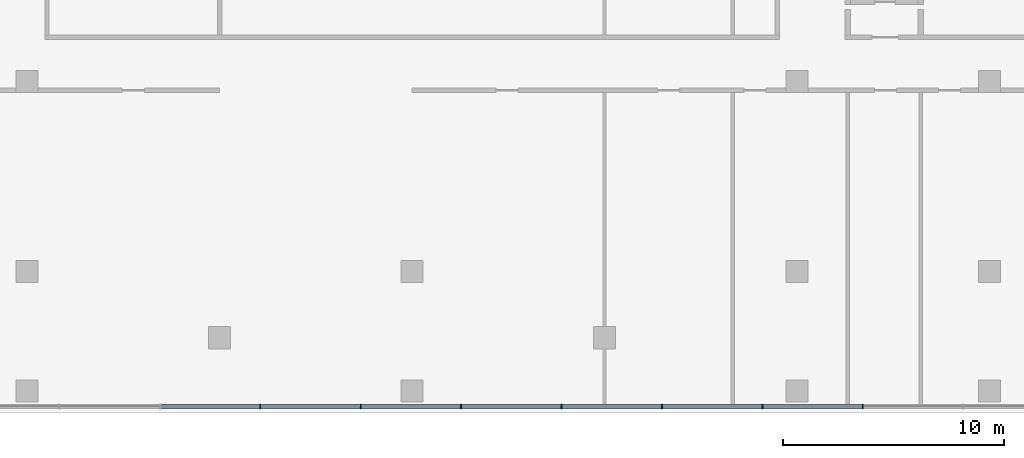
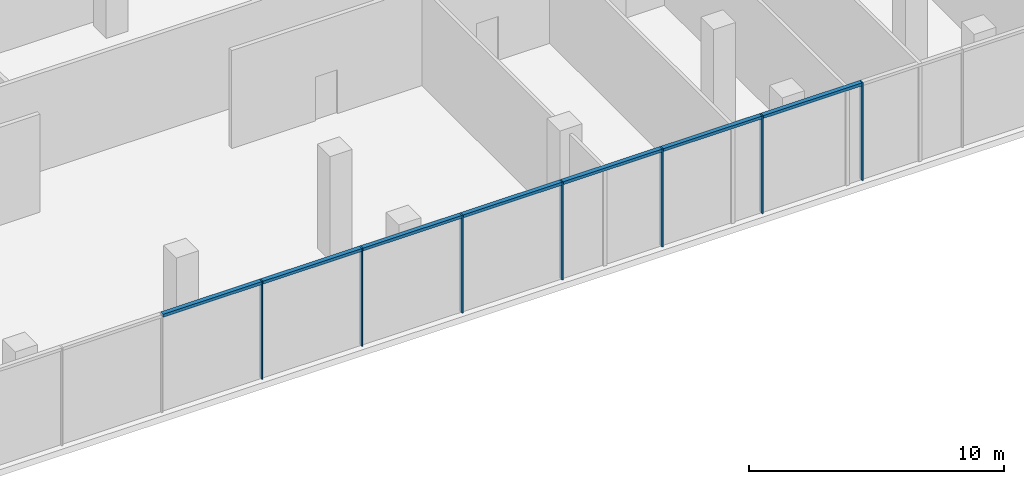
# One storey, part 4 of 20: 14 members, 1 element without a shape of its own.
"""IFC4 building model written with IfcOpenShell, lengths in metres."""

from ifc_helpers import new_model, si_unit, direction, frame, origin, origin_2d, place, context, subcontext, project, spatial, rectangle, extrude, material, material_profile, profile_set, type_object, element, aggregate, save


model = new_model("IFC4")

# Units and contexts
model_context = context("Model", 3, precision=1e-05, world=origin(), true_north=direction((0.0, 1.0)))
body_context = subcontext(model_context, "Body", "Model", "MODEL_VIEW")
ifc_project = project(units=[si_unit("LENGTHUNIT", "METRE"), si_unit("AREAUNIT", "SQUARE_METRE"), si_unit("VOLUMEUNIT", "CUBIC_METRE"), si_unit("PLANEANGLEUNIT", "RADIAN"), si_unit("MASSUNIT", "GRAM", prefix="KILO")], contexts=[model_context])

# Site, building, storey
site_placement = place(None, origin())
site = spatial("IfcSite", under=ifc_project, at=site_placement, CompositionType="ELEMENT")
building_placement = place(site_placement, origin())
building = spatial("IfcBuilding", under=site, at=building_placement, Name="Bicima Exchange Tower", CompositionType="ELEMENT")
storey_placement = place(building_placement, frame((0.0, 0.0, 25.0)))
storey = spatial("IfcBuildingStorey", under=building, at=storey_placement, Name="L04", CompositionType="ELEMENT", Elevation=25.0)

# Curtain wall, members
ifc_material = material(Name="Anodised bronze aluminium", Category="aluminium")
curtain_wall_type = type_object("IfcCurtainWallType", Name="Lobby glazing", PredefinedType="NOTDEFINED", material=ifc_material)
curtain_wall_placement = place(storey_placement, origin())
curtain_wall = element("IfcCurtainWall", 1, at=curtain_wall_placement, inside=storey, type_object=curtain_wall_type, Name="Podium glazing L04 south 1", PredefinedType="NOTDEFINED")
ifc_material_profile_1 = material_profile(ifc_material, rectangle(XDim=0.199951171875, YDim=0.06005859375, at=origin_2d()))
ifc_profile_set_1 = profile_set([ifc_material_profile_1], Name="Anodised bronze aluminium")
member_type_1 = type_object("IfcMemberType", Name="Lobby glazing mullion 60 x 200", PredefinedType="MULLION", material=ifc_profile_set_1)
member_1_placement = place(storey_placement, frame((-6.8583984375, -45.699951171875, 0.0), z_axis=(0.0, 0.0, 1.0), x_axis=(0.0, 1.0, 0.0)))
member_1 = element("IfcMember", 2, at=member_1_placement, type_object=member_type_1, Name="Lobby glazing mullion 9", PredefinedType="MULLION", context=body_context, shape_type="SweptSolid", body=[
    extrude(rectangle(XDim=0.199951171875, YDim=0.06005859375, at=origin_2d()), origin(), (0.0, 0.0, 1.0), 4.699951171875),
])
member_2_placement = place(storey_placement, frame((-2.319580078125, -45.699951171875, 0.0), z_axis=(0.0, 0.0, 1.0), x_axis=(0.0, 1.0, 0.0)))
member_2 = element("IfcMember", 3, at=member_2_placement, type_object=member_type_1, Name="Lobby glazing mullion 10", PredefinedType="MULLION", context=body_context, shape_type="SweptSolid", body=[
    extrude(rectangle(XDim=0.199951171875, YDim=0.06005859375, at=origin_2d()), origin(), (0.0, 0.0, 1.0), 4.699951171875),
])
member_3_placement = place(storey_placement, frame((2.219482421875, -45.699951171875, 0.0), z_axis=(0.0, 0.0, 1.0), x_axis=(0.0, 1.0, 0.0)))
member_3 = element("IfcMember", 4, at=member_3_placement, type_object=member_type_1, Name="Lobby glazing mullion 11", PredefinedType="MULLION", context=body_context, shape_type="SweptSolid", body=[
    extrude(rectangle(XDim=0.199951171875, YDim=0.06005859375, at=origin_2d()), origin(), (0.0, 0.0, 1.0), 4.699951171875),
])
member_4_placement = place(storey_placement, frame((6.75830078125, -45.699951171875, 0.0), z_axis=(0.0, 0.0, 1.0), x_axis=(0.0, 1.0, 0.0)))
member_4 = element("IfcMember", 5, at=member_4_placement, type_object=member_type_1, Name="Lobby glazing mullion 12", PredefinedType="MULLION", context=body_context, shape_type="SweptSolid", body=[
    extrude(rectangle(XDim=0.199951171875, YDim=0.06005859375, at=origin_2d()), origin(), (0.0, 0.0, 1.0), 4.699951171875),
])
member_5_placement = place(storey_placement, frame((11.29736328125, -45.699951171875, 0.0), z_axis=(0.0, 0.0, 1.0), x_axis=(0.0, 1.0, 0.0)))
member_5 = element("IfcMember", 6, at=member_5_placement, type_object=member_type_1, Name="Lobby glazing mullion 13", PredefinedType="MULLION", context=body_context, shape_type="SweptSolid", body=[
    extrude(rectangle(XDim=0.199951171875, YDim=0.06005859375, at=origin_2d()), origin(), (0.0, 0.0, 1.0), 4.699951171875),
])
member_6_placement = place(storey_placement, frame((15.836181640625, -45.699951171875, 0.0), z_axis=(0.0, 0.0, 1.0), x_axis=(0.0, 1.0, 0.0)))
member_6 = element("IfcMember", 7, at=member_6_placement, type_object=member_type_1, Name="Lobby glazing mullion 14", PredefinedType="MULLION", context=body_context, shape_type="SweptSolid", body=[
    extrude(rectangle(XDim=0.199951171875, YDim=0.06005859375, at=origin_2d()), origin(), (0.0, 0.0, 1.0), 4.699951171875),
])
member_7_placement = place(storey_placement, frame((20.375244140625, -45.699951171875, 0.0), z_axis=(0.0, 0.0, 1.0), x_axis=(0.0, 1.0, 0.0)))
member_7 = element("IfcMember", 8, at=member_7_placement, type_object=member_type_1, Name="Lobby glazing mullion 15", PredefinedType="MULLION", context=body_context, shape_type="SweptSolid", body=[
    extrude(rectangle(XDim=0.199951171875, YDim=0.06005859375, at=origin_2d()), origin(), (0.0, 0.0, 1.0), 4.699951171875),
])
ifc_material_profile_2 = material_profile(ifc_material, rectangle(XDim=0.199951171875, YDim=0.139892578125, at=origin_2d()))
ifc_profile_set_2 = profile_set([ifc_material_profile_2], Name="Anodised bronze aluminium")
member_type_2 = type_object("IfcMemberType", Name="Lobby glazing transom 140 x 200", PredefinedType="USERDEFINED", material=ifc_profile_set_2)
member_8_placement = place(storey_placement, frame((-11.367431640625, -45.699951171875, 4.6298828125), z_axis=(1.0, 0.0, 0.0), x_axis=(0.0, 1.0, 0.0)))
member_8 = element("IfcMember", 9, at=member_8_placement, type_object=member_type_2, Name="Lobby glazing transom 8.1", ObjectType="TRANSOM", PredefinedType="USERDEFINED", context=body_context, shape_type="SweptSolid", body=[
    extrude(rectangle(XDim=0.199951171875, YDim=0.139892578125, at=origin_2d()), origin(), (0.0, 0.0, 1.0), 4.47900390625),
])
member_9_placement = place(storey_placement, frame((-6.828369140625, -45.699951171875, 4.6298828125), z_axis=(1.0, 0.0, 0.0), x_axis=(0.0, 1.0, 0.0)))
member_9 = element("IfcMember", 10, at=member_9_placement, type_object=member_type_2, Name="Lobby glazing transom 9.1", ObjectType="TRANSOM", PredefinedType="USERDEFINED", context=body_context, shape_type="SweptSolid", body=[
    extrude(rectangle(XDim=0.199951171875, YDim=0.139892578125, at=origin_2d()), origin(), (0.0, 0.0, 1.0), 4.478759765625),
])
member_10_placement = place(storey_placement, frame((-2.28955078125, -45.699951171875, 4.6298828125), z_axis=(1.0, 0.0, 0.0), x_axis=(0.0, 1.0, 0.0)))
member_10 = element("IfcMember", 11, at=member_10_placement, type_object=member_type_2, Name="Lobby glazing transom 10.1", ObjectType="TRANSOM", PredefinedType="USERDEFINED", context=body_context, shape_type="SweptSolid", body=[
    extrude(rectangle(XDim=0.199951171875, YDim=0.139892578125, at=origin_2d()), origin(), (0.0, 0.0, 1.0), 4.47900390625),
])
member_11_placement = place(storey_placement, frame((2.24951171875, -45.699951171875, 4.6298828125), z_axis=(1.0, 0.0, 0.0), x_axis=(0.0, 1.0, 0.0)))
member_11 = element("IfcMember", 12, at=member_11_placement, type_object=member_type_2, Name="Lobby glazing transom 11.1", ObjectType="TRANSOM", PredefinedType="USERDEFINED", context=body_context, shape_type="SweptSolid", body=[
    extrude(rectangle(XDim=0.199951171875, YDim=0.139892578125, at=origin_2d()), origin(), (0.0, 0.0, 1.0), 4.47900390625),
])
member_12_placement = place(storey_placement, frame((6.788330078125, -45.699951171875, 4.6298828125), z_axis=(1.0, 0.0, 0.0), x_axis=(0.0, 1.0, 0.0)))
member_12 = element("IfcMember", 13, at=member_12_placement, type_object=member_type_2, Name="Lobby glazing transom 12.1", ObjectType="TRANSOM", PredefinedType="USERDEFINED", context=body_context, shape_type="SweptSolid", body=[
    extrude(rectangle(XDim=0.199951171875, YDim=0.139892578125, at=origin_2d()), origin(), (0.0, 0.0, 1.0), 4.47900390625),
])
member_13_placement = place(storey_placement, frame((11.327392578125, -45.699951171875, 4.6298828125), z_axis=(1.0, 0.0, 0.0), x_axis=(0.0, 1.0, 0.0)))
member_13 = element("IfcMember", 14, at=member_13_placement, type_object=member_type_2, Name="Lobby glazing transom 13.1", ObjectType="TRANSOM", PredefinedType="USERDEFINED", context=body_context, shape_type="SweptSolid", body=[
    extrude(rectangle(XDim=0.199951171875, YDim=0.139892578125, at=origin_2d()), origin(), (0.0, 0.0, 1.0), 4.47900390625),
])
member_14_placement = place(storey_placement, frame((15.8662109375, -45.699951171875, 4.6298828125), z_axis=(1.0, 0.0, 0.0), x_axis=(0.0, 1.0, 0.0)))
member_14 = element("IfcMember", 15, at=member_14_placement, type_object=member_type_2, Name="Lobby glazing transom 14.1", ObjectType="TRANSOM", PredefinedType="USERDEFINED", context=body_context, shape_type="SweptSolid", body=[
    extrude(rectangle(XDim=0.199951171875, YDim=0.139892578125, at=origin_2d()), origin(), (0.0, 0.0, 1.0), 4.47900390625),
])
aggregate(curtain_wall, [member_1, member_2, member_3, member_4, member_5, member_6, member_7, member_8, member_9, member_10, member_11, member_12, member_13, member_14])

save(model, "model.ifc")
